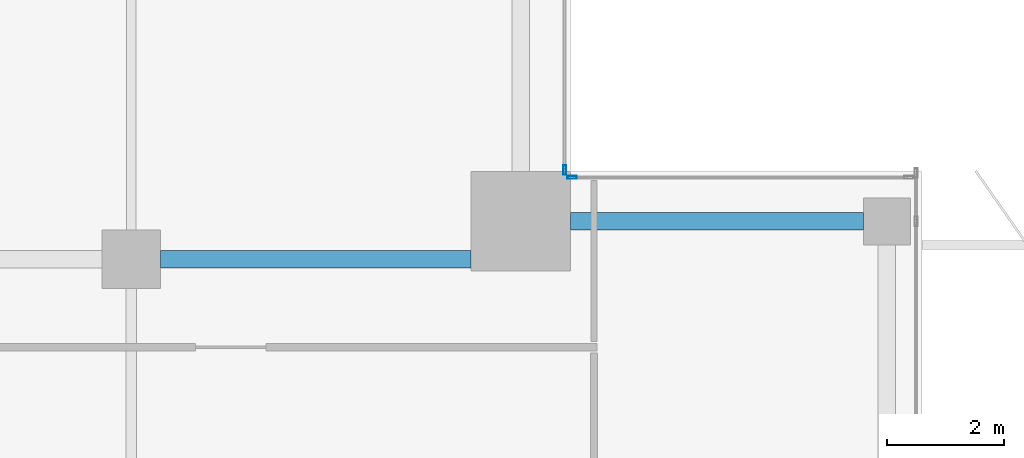
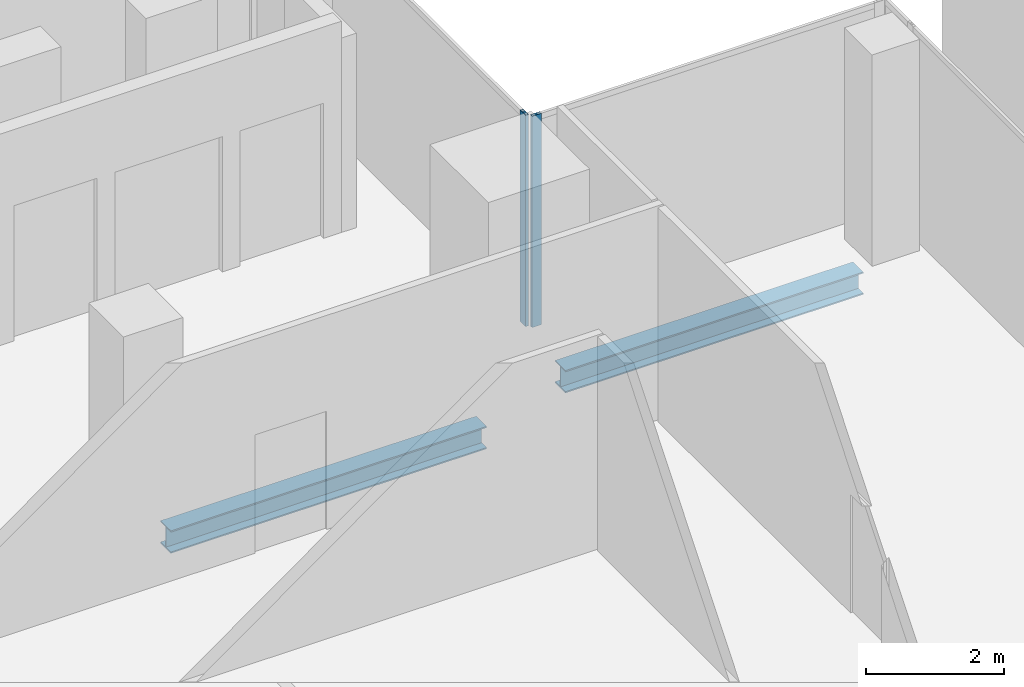
# One storey, part 17 of 32: 2 beams, 2 members, 2 elements without a shape of their own.
"""IFC4 building model written with IfcOpenShell, lengths in metres."""

import ifcopenshell
import ifcopenshell.guid

model = None  # the IFC model being written
_history = None  # IfcOwnerHistory: only IFC2X3 demands one
_inside = {}  # id of a spatial element -> (the spatial element, [elements in it])
_under = {}  # id of a project, library or spatial element -> (it, [spatial elements below it])
_declared = {}  # id of a project -> (the project, [libraries it declares])
_typed = {}  # id of a type object -> (the type object, [elements of that type])
_made_of = {}  # id of a material, layer set ... -> (it, [elements and type objects made of it])


def new_model(schema):
    """Start an empty IFC model of exactly this schema.

    Asked for "IFC4X3", IfcOpenShell would pick the latest addendum, in which some entities
    have other attributes; the version numbers below select the first issue.
    IFC2X3 requires an IfcOwnerHistory on every rooted entity: one is made here for all.
    """
    global model, _history
    if schema == "IFC4X3":
        model = ifcopenshell.file(schema_version=(4, 3, 0, 0))
    else:
        model = ifcopenshell.file(schema=schema)
    _inside.clear()
    _under.clear()
    _declared.clear()
    _typed.clear()
    _made_of.clear()
    _history = None
    if model.schema == "IFC2X3":
        org = make("IfcOrganization", Name="unknown")
        user = make(
            "IfcPersonAndOrganization",
            ThePerson=make("IfcPerson", FamilyName="unknown"),
            TheOrganization=org,
        )
        app = make(
            "IfcApplication",
            ApplicationDeveloper=org,
            Version="unknown",
            ApplicationFullName="unknown",
            ApplicationIdentifier="unknown",
        )
        _history = make(
            "IfcOwnerHistory",
            OwningUser=user,
            OwningApplication=app,
            ChangeAction="ADDED",
            CreationDate=0,
        )
    return model


def make(cls, **values):
    """One entity of the class cls with the attributes given. An attribute that is None is left unset."""
    return model.create_entity(
        cls, **{name: value for name, value in values.items() if value is not None}
    )


def rooted(cls, **values):
    """An entity with a GlobalId (a new one), such as an element, a storey or a relation."""
    return make(cls, GlobalId=ifcopenshell.guid.new(), OwnerHistory=_history, **values)


def si_unit(unit_type, name, prefix=None):
    """IfcSIUnit, for example si_unit("LENGTHUNIT", "METRE", prefix="MILLI")."""
    return make("IfcSIUnit", UnitType=unit_type, Prefix=prefix, Name=name)


def assignment(units):
    """IfcUnitAssignment: the units of a project."""
    return None if units is None else make("IfcUnitAssignment", Units=units)


def point(xyz):
    """IfcCartesianPoint."""
    return None if xyz is None else make("IfcCartesianPoint", Coordinates=xyz)


def direction(xyz):
    """IfcDirection."""
    return None if xyz is None else make("IfcDirection", DirectionRatios=xyz)


def frame(location, z_axis=None, x_axis=None):
    """IfcAxis2Placement3D, a coordinate frame: its origin and axes. An axis left out is left unset."""
    return make(
        "IfcAxis2Placement3D",
        Location=point(location),
        Axis=direction(z_axis),
        RefDirection=direction(x_axis),
    )


def frame_2d(location, x_axis=None):
    """IfcAxis2Placement2D, a coordinate frame in the plane: its origin and x axis."""
    return make(
        "IfcAxis2Placement2D", Location=point(location), RefDirection=direction(x_axis)
    )


def origin():
    """The frame at (0, 0, 0) with its axes left unset."""
    return frame((0.0, 0.0, 0.0))


def origin_2d():
    """The frame at (0, 0) in the plane with its x axis left unset."""
    return frame_2d((0.0, 0.0))


def place(relative_to, where):
    """IfcLocalPlacement: puts the frame where relative to a parent placement (None: the world)."""
    return make(
        "IfcLocalPlacement", PlacementRelTo=relative_to, RelativePlacement=where
    )


def context(
    kind, dimensions, precision=None, world=None, true_north=None, identifier=None
):
    """IfcGeometricRepresentationContext, for example the 3D "Model" context."""
    return make(
        "IfcGeometricRepresentationContext",
        ContextIdentifier=identifier,
        ContextType=kind,
        CoordinateSpaceDimension=dimensions,
        Precision=precision,
        WorldCoordinateSystem=world,
        TrueNorth=true_north,
    )


def subcontext(parent, identifier, kind, view, scale=None):
    """IfcGeometricRepresentationSubContext, for example "Body" below "Model"."""
    return make(
        "IfcGeometricRepresentationSubContext",
        ContextIdentifier=identifier,
        ContextType=kind,
        ParentContext=parent,
        TargetScale=scale,
        TargetView=view,
    )


def project(units=None, contexts=None):
    """IfcProject with its units and contexts."""
    return rooted(
        "IfcProject",
        Name="project",
        RepresentationContexts=contexts,
        UnitsInContext=assignment(units),
    )


def spatial(cls, under=None, at=None, **own):
    """A site, building, storey or space (cls), placed at a placement, below another one or the project."""
    s = rooted(cls, ObjectPlacement=at, **own)
    if under is not None:
        _under.setdefault(under.id(), (under, []))[1].append(s)
    return s


def profile(cls, at=None, kind="AREA", **sizes):
    """A parametric profile (cls). Its sizes go by their IFC names, for example OverallWidth=200.0."""
    return make(cls, ProfileType=kind, Position=at, **sizes)


def hollow_rectangle(**sizes):
    """IfcRectangleHollowProfileDef."""
    return profile("IfcRectangleHollowProfileDef", **sizes)


def i_section(**sizes):
    """IfcIShapeProfileDef."""
    return profile("IfcIShapeProfileDef", **sizes)


def extrude(swept, where, along, depth):
    """IfcExtrudedAreaSolid: the profile swept, set in the frame where, extruded along a direction by depth."""
    return make(
        "IfcExtrudedAreaSolid",
        SweptArea=swept,
        Position=where,
        ExtrudedDirection=direction(along),
        Depth=depth,
    )


def shape(context_of_items, identifier, shape_type, items):
    """IfcShapeRepresentation: the items that make up one representation, for example the "Body"."""
    return make(
        "IfcShapeRepresentation",
        ContextOfItems=context_of_items,
        RepresentationIdentifier=identifier,
        RepresentationType=shape_type,
        Items=items,
    )


def source(mapping_origin, context_of_items, identifier, shape_type, items):
    """IfcRepresentationMap: a shape defined once, which mapped items show again and again."""
    return make(
        "IfcRepresentationMap",
        MappingOrigin=mapping_origin,
        MappedRepresentation=shape(context_of_items, identifier, shape_type, items),
    )


def transform(
    local_origin,
    x_axis=None,
    y_axis=None,
    z_axis=None,
    scale=None,
    scale2=None,
    scale3=None,
    uniform=True,
):
    """IfcCartesianTransformationOperator3D, or its non-uniform kind. x_axis, y_axis, z_axis: its Axis1, 2, 3."""
    if uniform:
        return make(
            "IfcCartesianTransformationOperator3D",
            Axis1=direction(x_axis),
            Axis2=direction(y_axis),
            LocalOrigin=point(local_origin),
            Scale=scale,
            Axis3=direction(z_axis),
        )
    return make(
        "IfcCartesianTransformationOperator3DnonUniform",
        Axis1=direction(x_axis),
        Axis2=direction(y_axis),
        LocalOrigin=point(local_origin),
        Scale=scale,
        Axis3=direction(z_axis),
        Scale2=scale2,
        Scale3=scale3,
    )


def mapped(mapping_source, mapping_target):
    """IfcMappedItem: shows the shape of a source again, moved by a transform."""
    return make(
        "IfcMappedItem", MappingSource=mapping_source, MappingTarget=mapping_target
    )


def material(Name=None, Category=None):
    """IfcMaterial."""
    return make("IfcMaterial", Name=Name, Category=Category)


def material_profile(
    of_material, cross_section, Name=None, Category=None, Priority=None
):
    """IfcMaterialProfile: a cross section and its material."""
    return make(
        "IfcMaterialProfile",
        Name=Name,
        Material=of_material,
        Profile=cross_section,
        Priority=Priority,
        Category=Category,
    )


def profile_set(profiles, Name=None, composite=None):
    """IfcMaterialProfileSet."""
    return make(
        "IfcMaterialProfileSet",
        Name=Name,
        MaterialProfiles=profiles,
        CompositeProfile=composite,
    )


def made_of(thing, what):
    """Note that an element or type object is made of a material, layer set ...; save() writes the relation."""
    if what is not None:
        _made_of.setdefault(what.id(), (what, []))[1].append(thing)
    return thing


def type_object(cls, material=None, **own):
    """A type object (cls), such as IfcWallType, which elements share."""
    return made_of(rooted(cls, **own), material)


def element(
    cls,
    number,
    at=None,
    inside=None,
    cuts=None,
    type_object=None,
    material=None,
    context=None,
    identifier="Body",
    shape_type=None,
    held_by="IfcProductDefinitionShape",
    body=None,
    shapes=None,
    **own,
):
    """One element of the class cls, such as IfcWall. Its Tag is "e" and its number.

    at: its placement. inside: the storey or other place that contains it. cuts: it is an
    opening in that element (IfcRelVoidsElement). A single representation is given by context,
    identifier, shape_type and body (its items); several are given by shapes. held_by: the class
    of the entity that holds the representations. save() writes the other relations.
    """
    e = rooted(cls, Tag="e%d" % number, ObjectPlacement=at, **own)
    if body is not None:
        shapes = [shape(context, identifier, shape_type, body)]
    if shapes is not None:
        e.Representation = make(held_by, Representations=shapes)
    if inside is not None:
        _inside.setdefault(inside.id(), (inside, []))[1].append(e)
    if cuts is not None:
        rooted(
            "IfcRelVoidsElement", RelatingBuildingElement=cuts, RelatedOpeningElement=e
        )
    if type_object is not None:
        _typed.setdefault(type_object.id(), (type_object, []))[1].append(e)
    return made_of(e, material)


def aggregate(whole, parts):
    """IfcRelAggregates: a whole, such as a stair, and the parts it consists of."""
    return rooted("IfcRelAggregates", RelatingObject=whole, RelatedObjects=parts)


def save(model, path):
    """Write the relations noted so far, then the file.

    IfcRelAggregates (storeys below a building ...), IfcRelContainedInSpatialStructure (elements
    in a storey), IfcRelDefinesByType, IfcRelAssociatesMaterial and IfcRelDeclares: one each for
    every whole, place, type object, material and project.
    """
    for whole, parts in _under.values():
        aggregate(whole, parts)
    for where, things in _inside.values():
        rooted(
            "IfcRelContainedInSpatialStructure",
            RelatedElements=things,
            RelatingStructure=where,
        )
    for kind, things in _typed.values():
        rooted("IfcRelDefinesByType", RelatedObjects=things, RelatingType=kind)
    for what, things in _made_of.values():
        rooted("IfcRelAssociatesMaterial", RelatedObjects=things, RelatingMaterial=what)
    for by, libraries in _declared.values():
        rooted("IfcRelDeclares", RelatingContext=by, RelatedDefinitions=libraries)
    model.write(path)


model = new_model("IFC4")

# Units and contexts
model_context = context("Model", 3, precision=1e-05, world=origin(), true_north=direction((0.0, 1.0)))
body_context = subcontext(model_context, "Body", "Model", "MODEL_VIEW")
ifc_project = project(units=[si_unit("LENGTHUNIT", "METRE"), si_unit("AREAUNIT", "SQUARE_METRE"), si_unit("VOLUMEUNIT", "CUBIC_METRE"), si_unit("PLANEANGLEUNIT", "RADIAN"), si_unit("MASSUNIT", "GRAM", prefix="KILO")], contexts=[model_context])

# Site, building, storey
site_placement = place(None, origin())
site = spatial("IfcSite", under=ifc_project, at=site_placement, CompositionType="ELEMENT")
building_placement = place(site_placement, origin())
building = spatial("IfcBuilding", under=site, at=building_placement, Name="Khomas Fold Tower", CompositionType="ELEMENT")
storey_placement = place(building_placement, frame((0.0, 0.0, 318.199951171875)))
storey = spatial("IfcBuildingStorey", under=building, at=storey_placement, Name="L72", CompositionType="ELEMENT", Elevation=318.199951171875)

# Beams
ifc_material_1 = material(Name="Steel S355", Category="steel")
ifc_material_profile_1 = material_profile(ifc_material_1, i_section(OverallWidth=0.300048828125, OverallDepth=0.39990234375, WebThickness=0.013427734375, FlangeThickness=0.02392578125, at=origin_2d()), Name="HE 400 B")
ifc_profile_set_1 = profile_set([ifc_material_profile_1], Name="Steel S355")
beam_type_1 = type_object("IfcBeamType", Name="HE 400 B spandrel SB5", PredefinedType="SPANDREL", material=ifc_profile_set_1)
shared_shape_1 = source(origin(), body_context, "Body", "SweptSolid", [
    extrude(i_section(OverallWidth=0.300048828125, OverallDepth=0.39990234375, WebThickness=0.013427734375, FlangeThickness=0.02392578125, at=origin_2d()), origin(), (0.0, 0.0, 1.0), 5.0),
])
beam_1_placement = place(storey_placement, frame((42.0, 41.14990234375, -0.449951171875), z_axis=(1.0, 0.0, 0.0), x_axis=(0.0, 1.0, 0.0)))
element("IfcBeam", 1, at=beam_1_placement, inside=storey, type_object=beam_type_1, Name="SB5", PredefinedType="SPANDREL", context=body_context, shape_type="MappedRepresentation", body=[
    mapped(shared_shape_1, transform((0.0, 0.0, 0.0))),
])
ifc_material_2 = material(Name="Steel S355", Category="steel")
ifc_material_profile_2 = material_profile(ifc_material_2, i_section(OverallWidth=0.300048828125, OverallDepth=0.39990234375, WebThickness=0.013427734375, FlangeThickness=0.02392578125, at=origin_2d()), Name="HE 400 B")
ifc_profile_set_2 = profile_set([ifc_material_profile_2], Name="Steel S355")
beam_type_2 = type_object("IfcBeamType", Name="HE 400 B beam GB1", PredefinedType="BEAM", material=ifc_profile_set_2)
shared_shape_2 = source(origin(), body_context, "Body", "SweptSolid", [
    extrude(i_section(OverallWidth=0.300048828125, OverallDepth=0.39990234375, WebThickness=0.013427734375, FlangeThickness=0.02392578125, at=origin_2d()), origin(), (0.0, 0.0, 1.0), 5.300048828125),
])
beam_2_placement = place(storey_placement, frame((35.0, 40.5, -0.449951171875), z_axis=(1.0, 0.0, 0.0), x_axis=(0.0, 1.0, 0.0)))
element("IfcBeam", 2, at=beam_2_placement, inside=storey, type_object=beam_type_2, Name="GB1", PredefinedType="BEAM", context=body_context, shape_type="MappedRepresentation", body=[
    mapped(shared_shape_2, transform((0.0, 0.0, 0.0))),
])

# Curtain wall, member
ifc_material_3 = material(Name="Aluminium framed double glazing", Category="aluminium")
curtain_wall_type = type_object("IfcCurtainWallType", Name="SK-Unitised clear-glass wall, upper floors CW3", PredefinedType="NOTDEFINED", material=ifc_material_3)
curtain_wall_1_placement = place(storey_placement, origin())
curtain_wall_1 = element("IfcCurtainWall", 3, at=curtain_wall_1_placement, inside=storey, type_object=curtain_wall_type, Name="CW3 corner return L72 04", PredefinedType="NOTDEFINED")
ifc_material_4 = material(Name="Aluminium", Category="aluminium")
ifc_material_profile_3 = material_profile(ifc_material_4, hollow_rectangle(XDim=0.050048828125, YDim=0.159912109375, WallThickness=0.00390625, at=origin_2d()), Name="SK-Unitised clear-glass wall, upper floors mullion CW3-M")
ifc_profile_set_3 = profile_set([ifc_material_profile_3], Name="Aluminium")
member_type = type_object("IfcMemberType", Name="SK-Unitised clear-glass wall, upper floors mullion CW3-M", PredefinedType="MULLION", material=ifc_profile_set_3)
shared_shape_3 = source(origin(), body_context, "Body", "SweptSolid", [
    extrude(hollow_rectangle(XDim=0.050048828125, YDim=0.159912109375, WallThickness=0.00390625, at=origin_2d()), origin(), (0.0, 0.0, 1.0), 3.75),
])
member_1_placement = place(storey_placement, frame((42.02490234375, 41.89990234375, 0.0), z_axis=(0.0, 0.0, 1.0), x_axis=(0.0, -1.0, 0.0)))
member_1 = element("IfcMember", 4, at=member_1_placement, type_object=member_type, Name="CW3 mullion 2", PredefinedType="MULLION", context=body_context, shape_type="MappedRepresentation", body=[
    mapped(shared_shape_3, transform((0.0, 0.0, 0.0))),
])
aggregate(curtain_wall_1, [member_1])

curtain_wall_2_placement = place(storey_placement, origin())
curtain_wall_2 = element("IfcCurtainWall", 5, at=curtain_wall_2_placement, inside=storey, type_object=curtain_wall_type, Name="CW3 corner return L72 05", PredefinedType="NOTDEFINED")
member_2_placement = place(storey_placement, frame((41.89990234375, 42.02490234375, 0.0), z_axis=(0.0, 0.0, 1.0), x_axis=(-1.0, 0.0, 0.0)))
member_2 = element("IfcMember", 6, at=member_2_placement, type_object=member_type, Name="CW3 mullion 1", PredefinedType="MULLION", context=body_context, shape_type="MappedRepresentation", body=[
    mapped(shared_shape_3, transform((0.0, 0.0, 0.0))),
])
aggregate(curtain_wall_2, [member_2])

save(model, "model.ifc")
